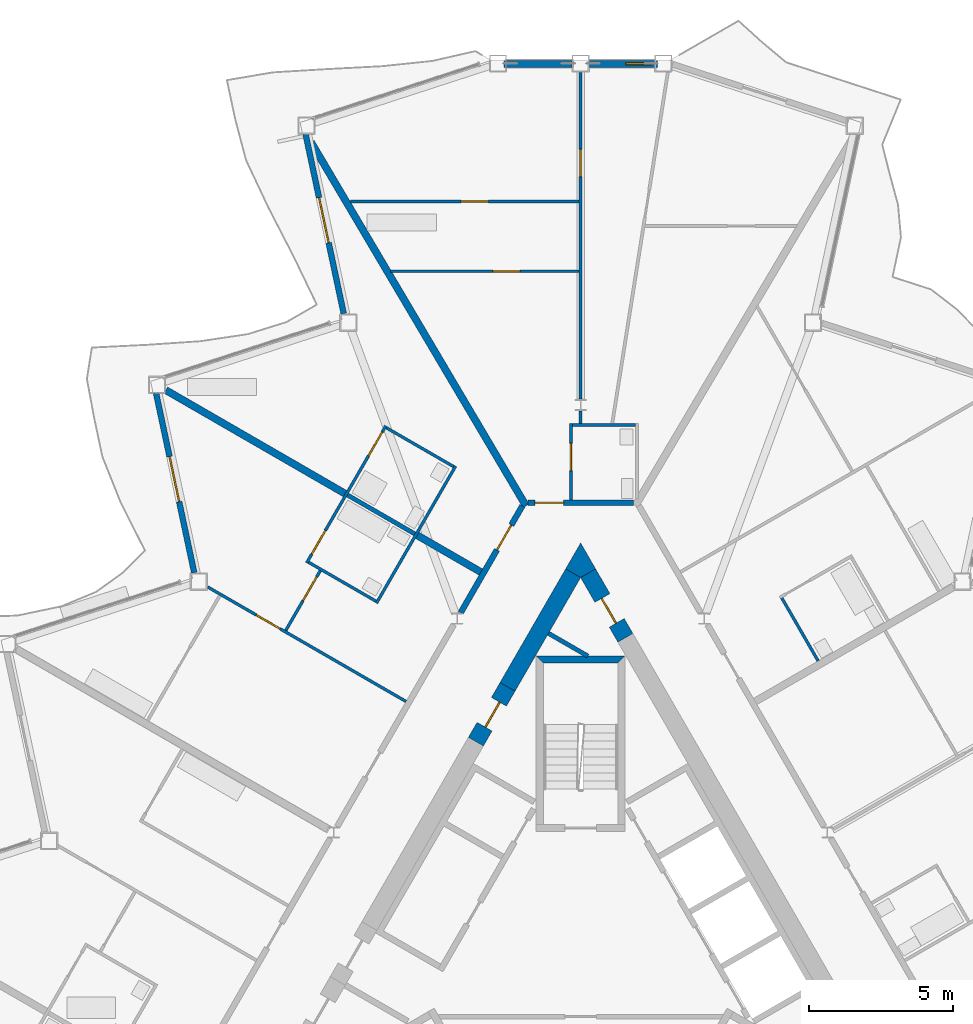
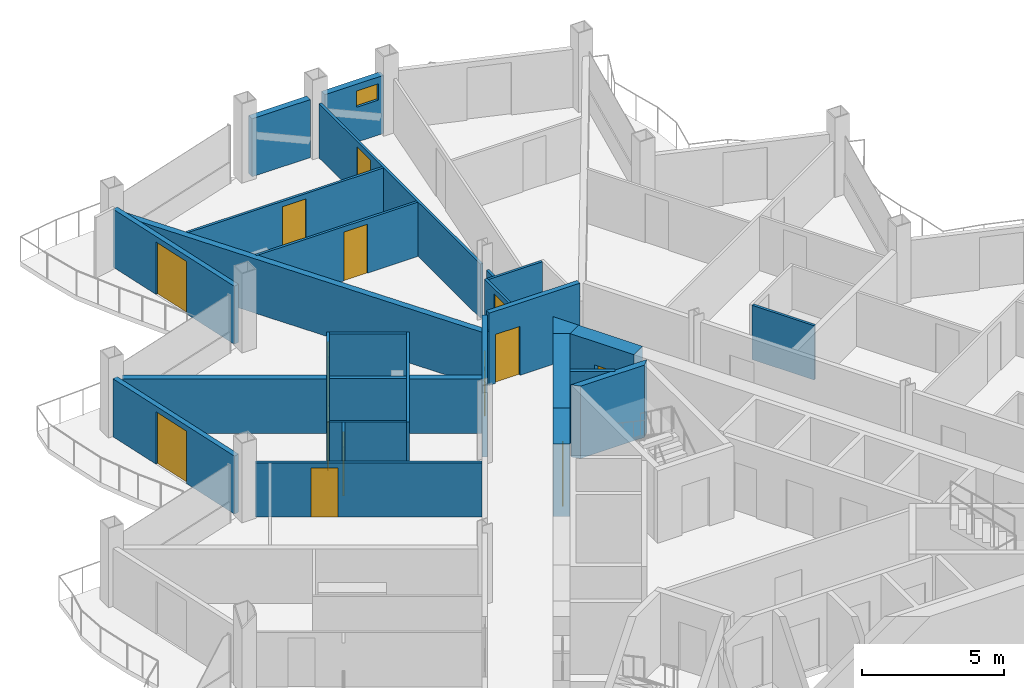
# One storey, part 18 of 27: 29 walls, 14 doors, 1 window, 15 openings.
"""IFC4 building model written with IfcOpenShell, lengths in metres."""

from ifc_helpers import new_model, si_unit, direction, frame, frame_2d, origin, place, context, subcontext, project, spatial, polyline, rectangle, outline, extrude, material, layer, layer_set, type_object, element, fill, save


model = new_model("IFC4")

# Units and contexts
model_context = context("Model", 3, precision=1e-05, world=origin(), true_north=direction((0.0, 1.0)))
body_context = subcontext(model_context, "Body", "Model", "MODEL_VIEW")
ifc_project = project(units=[si_unit("LENGTHUNIT", "METRE"), si_unit("AREAUNIT", "SQUARE_METRE"), si_unit("VOLUMEUNIT", "CUBIC_METRE"), si_unit("PLANEANGLEUNIT", "RADIAN"), si_unit("MASSUNIT", "GRAM", prefix="KILO")], contexts=[model_context])

# Site, building, storey
site_placement = place(None, origin())
site = spatial("IfcSite", under=ifc_project, at=site_placement, CompositionType="ELEMENT")
building_placement = place(site_placement, origin())
building = spatial("IfcBuilding", under=site, at=building_placement, Name="Cormorant Prow Tower", CompositionType="ELEMENT")
storey_placement = place(building_placement, frame((0.0, 0.0, 335.800048828125)))
storey = spatial("IfcBuildingStorey", under=building, at=storey_placement, Name="L75", CompositionType="ELEMENT", Elevation=335.800048828125)

# Walls
ifc_material_1 = material(Name="Gypsum board partition")
ifc_layer_1 = layer(ifc_material_1, 0.14990234375)
ifc_layer_set_1 = layer_set([ifc_layer_1], Name="Gypsum board partition")
wall_type_1 = type_object("IfcWallType", Name="Core partition 150", PredefinedType="PARTITIONING", material=ifc_layer_set_1)
wall_1_placement = place(storey_placement, frame((-1.119140625, 11.872802734375, 0.0), z_axis=(0.0, 0.0, 1.0), x_axis=(0.865992812752, -0.500056445075, 0.0)))
element("IfcWall", 1, at=wall_1_placement, inside=storey, type_object=wall_type_1, Name="Service room partition", PredefinedType="PARTITIONING", context=body_context, shape_type="SweptSolid", body=[
    extrude(rectangle(XDim=1.581787109375, YDim=0.14990234375, at=frame_2d((0.791015625, 0.0))), origin(), (0.0, 0.0, 1.0), 3.099853515625),
])
ifc_material_2 = material(Name="Concrete 8000 psi", Category="concrete")
ifc_layer_2 = layer(ifc_material_2, 0.60009765625)
ifc_layer_set_2 = layer_set([ifc_layer_2], Name="Concrete 8000 psi")
wall_type_2 = type_object("IfcWallType", Name="Core shear wall 600", PredefinedType="SHEAR", material=ifc_layer_set_2)
wall_2_placement = place(storey_placement, frame((-0.259765625, 13.961181640625, 0.0), z_axis=(0.0, 0.0, 1.0), x_axis=(-0.499980485389, -0.866036670257, 0.0)))
element("IfcWall", 2, at=wall_2_placement, inside=storey, type_object=wall_type_2, Name="Core wall", PredefinedType="SHEAR", context=body_context, shape_type="SweptSolid", body=[
    extrude(rectangle(XDim=4.559326171875, YDim=0.60009765625, at=frame_2d((2.27978515625, 0.0))), origin(), (0.0, 0.0, 1.0), 3.099853515625),
])
wall_3_placement = place(storey_placement, origin())
element("IfcWall", 3, at=wall_3_placement, inside=storey, type_object=wall_type_2, Name="Core wall corner", PredefinedType="SHEAR", context=body_context, shape_type="SweptSolid", body=[
    extrude(outline(polyline([(-0.51953125, 14.111083984375), (0.0, 15.010986328125), (0.51953125, 14.111083984375), (0.0, 13.81103515625), (-0.51953125, 14.111083984375)])), origin(), (0.0, 0.0, 1.0), 3.099853515625),
])

# Wall, opening, door
wall_4_placement = place(storey_placement, frame((-2.539306640625, 10.0126953125, 0.0), z_axis=(0.0, 0.0, 1.0), x_axis=(-0.50002983664, -0.866008176907, 0.0)))
wall_4 = element("IfcWall", 4, at=wall_4_placement, inside=storey, type_object=wall_type_2, Name="Core wall door panel", PredefinedType="SHEAR", context=body_context, shape_type="SweptSolid", body=[
    extrude(rectangle(XDim=2.199951171875, YDim=0.60009765625, at=frame_2d((1.10009765625, 0.0))), origin(), (0.0, 0.0, 1.0), 3.099853515625),
])
opening_1_placement = place(wall_4_placement, frame((0.60009765625, 0.0, 0.0)))
opening_1 = element("IfcOpeningElement", 5, at=opening_1_placement, cuts=wall_4, Name="Opening L75-C19", PredefinedType="OPENING", context=body_context, shape_type="SweptSolid", body=[
    extrude(rectangle(XDim=1.0, YDim=2.10009765625, at=frame_2d((0.5, 1.050048828125))), frame((0.0, 0.31005859375, 0.0), z_axis=(0.0, -1.0, 0.0), x_axis=(1.0, 0.0, 0.0)), (0.0, 0.0, 1.0), 0.6201171875),
])
ifc_material_3 = material(Name="Painted steel", Category="steel")
door_type_1 = type_object("IfcDoorType", Name="Service door 1000x2100", OperationType="NOTDEFINED", PredefinedType="DOOR", material=ifc_material_3)
door_1_placement = place(opening_1_placement, origin())
door_1 = element("IfcDoor", 6, at=door_1_placement, inside=storey, type_object=door_type_1, Name="Core door, Telecom room", OperationType="SINGLE_SWING_LEFT", OverallHeight=2.10009765625, OverallWidth=1.0, PredefinedType="DOOR", context=body_context, shape_type="SweptSolid", body=[
    extrude(rectangle(XDim=1.0, YDim=2.10009765625, at=frame_2d((0.5, 1.050048828125))), frame((0.0, 0.05517578125, 0.0), z_axis=(0.0, -1.0, 0.0), x_axis=(1.0, 0.0, 0.0)), (0.0, 0.0, 1.0), 0.050048828125),
])
fill(opening_1, door_1)

wall_5_placement = place(storey_placement, frame((1.555908203125, 11.71630859375, 0.0), z_axis=(0.0, 0.0, 1.0), x_axis=(-0.500018667571, 0.866014625789, 0.0)))
wall_5 = element("IfcWall", 7, at=wall_5_placement, inside=storey, type_object=wall_type_2, Name="Core wall door panel", PredefinedType="SHEAR", context=body_context, shape_type="SweptSolid", body=[
    extrude(rectangle(XDim=2.59228515625, YDim=0.60009765625, at=frame_2d((1.296142578125, 0.0))), origin(), (0.0, 0.0, 1.0), 3.099853515625),
])
opening_2_placement = place(wall_5_placement, frame((0.60009765625, 0.0, 0.0)))
opening_2 = element("IfcOpeningElement", 8, at=opening_2_placement, cuts=wall_5, Name="Opening L75-C20", PredefinedType="OPENING", context=body_context, shape_type="SweptSolid", body=[
    extrude(rectangle(XDim=1.0, YDim=2.10009765625, at=frame_2d((0.5, 1.050048828125))), frame((0.0, 0.31005859375, 0.0), z_axis=(0.0, -1.0, 0.0), x_axis=(1.0, 0.0, 0.0)), (0.0, 0.0, 1.0), 0.6201171875),
])
door_2_placement = place(opening_2_placement, origin())
door_2 = element("IfcDoor", 9, at=door_2_placement, inside=storey, type_object=door_type_1, Name="Core door, Pantry store", OperationType="SINGLE_SWING_RIGHT", OverallHeight=2.10009765625, OverallWidth=1.0, PredefinedType="DOOR", context=body_context, shape_type="SweptSolid", body=[
    extrude(rectangle(XDim=1.0, YDim=2.10009765625, at=frame_2d((0.5, 1.050048828125))), frame((0.0, 0.05517578125, 0.0), z_axis=(0.0, -1.0, 0.0), x_axis=(1.0, 0.0, 0.0)), (0.0, 0.0, 1.0), 0.050048828125),
])
fill(opening_2, door_2)

ifc_material_4 = material(Name="Gypsum board corridor wall")
ifc_layer_3 = layer(ifc_material_4, 0.199951171875)
ifc_layer_set_3 = layer_set([ifc_layer_3], Name="Gypsum board corridor wall")
wall_type_3 = type_object("IfcWallType", Name="Corridor wall 200", PredefinedType="PARTITIONING", material=ifc_layer_set_3)
wall_6_placement = place(storey_placement, frame((-4.169189453125, 12.589599609375, 0.0), z_axis=(0.0, 0.0, 1.0), x_axis=(0.499978750566, 0.866037671803, 0.0)))
wall_6 = element("IfcWall", 10, at=wall_6_placement, inside=storey, type_object=wall_type_3, Name="Corridor wall", PredefinedType="PARTITIONING", context=body_context, shape_type="SweptSolid", body=[
    extrude(rectangle(XDim=4.287841796875, YDim=0.199951171875, at=frame_2d((2.14404296875, 0.0))), origin(), (0.0, 0.0, 1.0), 3.099853515625),
])
opening_3_placement = place(wall_6_placement, frame((2.521484375, 0.0, 0.0)))
opening_3 = element("IfcOpeningElement", 11, at=opening_3_placement, cuts=wall_6, Name="Opening L75-F44", PredefinedType="OPENING", context=body_context, shape_type="SweptSolid", body=[
    extrude(rectangle(XDim=1.0, YDim=2.10009765625, at=frame_2d((0.5, 1.050048828125))), frame((0.0, 0.10986328125, 0.0), z_axis=(0.0, -1.0, 0.0), x_axis=(1.0, 0.0, 0.0)), (0.0, 0.0, 1.0), 0.219970703125),
])
ifc_material_5 = material(Name="Timber door leaf", Category="wood")
door_type_2 = type_object("IfcDoorType", Name="Flat or room entrance door 1000x2100", OperationType="NOTDEFINED", PredefinedType="DOOR", material=ifc_material_5)
door_3_placement = place(opening_3_placement, origin())
door_3 = element("IfcDoor", 12, at=door_3_placement, inside=storey, type_object=door_type_2, Name="Studio living, kitchen and sleeping room door", OperationType="SINGLE_SWING_RIGHT", OverallHeight=2.10009765625, OverallWidth=1.0, PredefinedType="DOOR", context=body_context, shape_type="SweptSolid", body=[
    extrude(rectangle(XDim=1.0, YDim=2.10009765625, at=frame_2d((0.5, 1.050048828125))), frame((0.0, 0.02490234375, 0.0), z_axis=(0.0, -1.0, 0.0), x_axis=(1.0, 0.0, 0.0)), (0.0, 0.0, 1.0), 0.050048828125),
])
fill(opening_3, door_3)

wall_7_placement = place(storey_placement, frame((-1.837890625, 16.4111328125, 0.0), z_axis=(0.0, 0.0, 1.0), x_axis=(1.0, 0.0, 0.0)))
wall_7 = element("IfcWall", 13, at=wall_7_placement, inside=storey, type_object=wall_type_3, Name="Corridor wall", PredefinedType="PARTITIONING", context=body_context, shape_type="SweptSolid", body=[
    extrude(rectangle(XDim=3.67578125, YDim=0.199951171875, at=frame_2d((1.837890625, 0.0))), origin(), (0.0, 0.0, 1.0), 3.099853515625),
])
opening_4_placement = place(wall_7_placement, frame((0.25, 0.0, 0.0)))
opening_4 = element("IfcOpeningElement", 14, at=opening_4_placement, cuts=wall_7, Name="Opening L75-F37", PredefinedType="OPENING", context=body_context, shape_type="SweptSolid", body=[
    extrude(rectangle(XDim=1.0, YDim=2.10009765625, at=frame_2d((0.5, 1.050048828125))), frame((0.0, 0.10986328125, 0.0), z_axis=(0.0, -1.0, 0.0), x_axis=(1.0, 0.0, 0.0)), (0.0, 0.0, 1.0), 0.219970703125),
])
door_4_placement = place(opening_4_placement, origin())
door_4 = element("IfcDoor", 15, at=door_4_placement, inside=storey, type_object=door_type_2, Name="Living room door", OperationType="SINGLE_SWING_RIGHT", OverallHeight=2.10009765625, OverallWidth=1.0, PredefinedType="DOOR", context=body_context, shape_type="SweptSolid", body=[
    extrude(rectangle(XDim=1.0, YDim=2.10009765625, at=frame_2d((0.5, 1.050048828125))), frame((0.0, 0.02490234375, 0.0), z_axis=(0.0, -1.0, 0.0), x_axis=(1.0, 0.0, 0.0)), (0.0, 0.0, 1.0), 0.050048828125),
])
fill(opening_4, door_4)

ifc_material_6 = material(Name="Gypsum board partition")
ifc_layer_4 = layer(ifc_material_6, 0.10009765625)
ifc_layer_set_4 = layer_set([ifc_layer_4], Name="Gypsum board partition")
wall_type_4 = type_object("IfcWallType", Name="Internal partition 100", PredefinedType="PARTITIONING", material=ifc_layer_set_4)
wall_8_placement = place(storey_placement, frame((0.0, 20.018798828125, 0.0), z_axis=(0.0, 0.0, 1.0), x_axis=(0.0, 1.0, 0.0)))
wall_8 = element("IfcWall", 16, at=wall_8_placement, inside=storey, type_object=wall_type_4, Name="Internal partition", PredefinedType="PARTITIONING", context=body_context, shape_type="SweptSolid", body=[
    extrude(rectangle(XDim=11.347412109375, YDim=0.10009765625, at=frame_2d((5.673828125, 0.0))), origin(), (0.0, 0.0, 1.0), 2.330078125),
])
opening_5_placement = place(wall_8_placement, frame((7.723388671875, 0.0, 0.0)))
opening_5 = element("IfcOpeningElement", 17, at=opening_5_placement, cuts=wall_8, Name="Opening L75-F41", PredefinedType="OPENING", context=body_context, shape_type="SweptSolid", body=[
    extrude(rectangle(XDim=0.949951171875, YDim=2.10009765625, at=frame_2d((0.47509765625, 1.050048828125))), frame((0.0, 0.06005859375, 0.0), z_axis=(0.0, -1.0, 0.0), x_axis=(1.0, 0.0, 0.0)), (0.0, 0.0, 1.0), 0.1201171875),
])
ifc_material_7 = material(Name="Timber door leaf", Category="wood")
door_type_3 = type_object("IfcDoorType", Name="Bathroom door 950x2100", OperationType="NOTDEFINED", PredefinedType="DOOR", material=ifc_material_7)
door_5_placement = place(opening_5_placement, origin())
door_5 = element("IfcDoor", 18, at=door_5_placement, inside=storey, type_object=door_type_3, Name="Dining room door", OperationType="SINGLE_SWING_LEFT", OverallHeight=2.10009765625, OverallWidth=0.949951171875, PredefinedType="DOOR", context=body_context, shape_type="SweptSolid", body=[
    extrude(rectangle(XDim=0.949951171875, YDim=2.10009765625, at=frame_2d((0.47509765625, 1.050048828125))), frame((0.0, 0.02490234375, 0.0), z_axis=(0.0, -1.0, 0.0), x_axis=(1.0, 0.0, 0.0)), (0.0, 0.0, 1.0), 0.050048828125),
])
fill(opening_5, door_5)

wall_9_placement = place(storey_placement, frame((-12.9619140625, 13.483642578125, 0.0), z_axis=(0.0, 0.0, 1.0), x_axis=(0.866032392051, -0.499987895772, 0.0)))
wall_9 = element("IfcWall", 19, at=wall_9_placement, inside=storey, type_object=wall_type_4, Name="Internal partition", PredefinedType="PARTITIONING", context=body_context, shape_type="SweptSolid", body=[
    extrude(rectangle(XDim=7.961669921875, YDim=0.10009765625, at=frame_2d((3.98095703125, 0.0))), origin(), (0.0, 0.0, 1.0), 2.330078125),
])
opening_6_placement = place(wall_9_placement, frame((1.953125, 0.0, 0.0)))
opening_6 = element("IfcOpeningElement", 20, at=opening_6_placement, cuts=wall_9, Name="Opening L75-F48", PredefinedType="OPENING", context=body_context, shape_type="SweptSolid", body=[
    extrude(rectangle(XDim=0.949951171875, YDim=2.10009765625, at=frame_2d((0.47509765625, 1.050048828125))), frame((0.0, 0.06005859375, 0.0), z_axis=(0.0, -1.0, 0.0), x_axis=(1.0, 0.0, 0.0)), (0.0, 0.0, 1.0), 0.1201171875),
])
door_6_placement = place(opening_6_placement, origin())
door_6 = element("IfcDoor", 21, at=door_6_placement, inside=storey, type_object=door_type_3, Name="Living room door", OperationType="SINGLE_SWING_RIGHT", OverallHeight=2.10009765625, OverallWidth=0.949951171875, PredefinedType="DOOR", context=body_context, shape_type="SweptSolid", body=[
    extrude(rectangle(XDim=0.949951171875, YDim=2.10009765625, at=frame_2d((0.47509765625, 1.050048828125))), frame((0.0, 0.02490234375, 0.0), z_axis=(0.0, -1.0, 0.0), x_axis=(1.0, 0.0, 0.0)), (0.0, 0.0, 1.0), 0.050048828125),
])
fill(opening_6, door_6)

wall_10_placement = place(storey_placement, frame((-8.00537109375, 26.876708984375, 0.0), z_axis=(0.0, 0.0, 1.0), x_axis=(1.0, 0.0, 0.0)))
wall_10 = element("IfcWall", 22, at=wall_10_placement, inside=storey, type_object=wall_type_4, Name="Internal partition", PredefinedType="PARTITIONING", context=body_context, shape_type="SweptSolid", body=[
    extrude(rectangle(XDim=7.955322265625, YDim=0.10009765625, at=frame_2d((3.9775390625, 0.0))), origin(), (0.0, 0.0, 1.0), 2.330078125),
])
opening_7_placement = place(wall_10_placement, frame((3.85302734375, 0.0, 0.0)))
opening_7 = element("IfcOpeningElement", 23, at=opening_7_placement, cuts=wall_10, Name="Opening L75-F40", PredefinedType="OPENING", context=body_context, shape_type="SweptSolid", body=[
    extrude(rectangle(XDim=0.949951171875, YDim=2.10009765625, at=frame_2d((0.47509765625, 1.050048828125))), frame((0.0, 0.06005859375, 0.0), z_axis=(0.0, -1.0, 0.0), x_axis=(1.0, 0.0, 0.0)), (0.0, 0.0, 1.0), 0.1201171875),
])
door_7_placement = place(opening_7_placement, origin())
door_7 = element("IfcDoor", 24, at=door_7_placement, inside=storey, type_object=door_type_3, Name="Kitchen door", OperationType="SINGLE_SWING_LEFT", OverallHeight=2.10009765625, OverallWidth=0.949951171875, PredefinedType="DOOR", context=body_context, shape_type="SweptSolid", body=[
    extrude(rectangle(XDim=0.949951171875, YDim=2.10009765625, at=frame_2d((0.47509765625, 1.050048828125))), frame((0.0, 0.02490234375, 0.0), z_axis=(0.0, -1.0, 0.0), x_axis=(1.0, 0.0, 0.0)), (0.0, 0.0, 1.0), 0.050048828125),
])
fill(opening_7, door_7)

wall_11_placement = place(storey_placement, frame((-6.607177734375, 24.455078125, 0.0), z_axis=(0.0, 0.0, 1.0), x_axis=(1.0, 0.0, 0.0)))
wall_11 = element("IfcWall", 25, at=wall_11_placement, inside=storey, type_object=wall_type_4, Name="Internal partition", PredefinedType="PARTITIONING", context=body_context, shape_type="SweptSolid", body=[
    extrude(rectangle(XDim=6.55712890625, YDim=0.10009765625, at=frame_2d((3.278564453125, 0.0))), origin(), (0.0, 0.0, 1.0), 2.330078125),
])
opening_8_placement = place(wall_11_placement, frame((3.5546875, 0.0, 0.0)))
opening_8 = element("IfcOpeningElement", 26, at=opening_8_placement, cuts=wall_11, Name="Opening L75-F39", PredefinedType="OPENING", context=body_context, shape_type="SweptSolid", body=[
    extrude(rectangle(XDim=0.949951171875, YDim=2.10009765625, at=frame_2d((0.47509765625, 1.050048828125))), frame((0.0, 0.06005859375, 0.0), z_axis=(0.0, -1.0, 0.0), x_axis=(1.0, 0.0, 0.0)), (0.0, 0.0, 1.0), 0.1201171875),
])
door_8_placement = place(opening_8_placement, origin())
door_8 = element("IfcDoor", 27, at=door_8_placement, inside=storey, type_object=door_type_3, Name="Living room door", OperationType="SINGLE_SWING_RIGHT", OverallHeight=2.10009765625, OverallWidth=0.949951171875, PredefinedType="DOOR", context=body_context, shape_type="SweptSolid", body=[
    extrude(rectangle(XDim=0.949951171875, YDim=2.10009765625, at=frame_2d((0.47509765625, 1.050048828125))), frame((0.0, 0.02490234375, 0.0), z_axis=(0.0, -1.0, 0.0), x_axis=(1.0, 0.0, 0.0)), (0.0, 0.0, 1.0), 0.050048828125),
])
fill(opening_8, door_8)

# Wall
wall_12_placement = place(storey_placement, frame((-7.095458984375, 12.92138671875, 0.0), z_axis=(0.0, 0.0, 1.0), x_axis=(0.499996545922, 0.866027397988, 0.0)))
element("IfcWall", 28, at=wall_12_placement, inside=storey, type_object=wall_type_4, Name="Internal partition", PredefinedType="PARTITIONING", context=body_context, shape_type="SweptSolid", body=[
    extrude(rectangle(XDim=5.5, YDim=0.10009765625, at=frame_2d((2.75, 0.0))), origin(), (0.0, 0.0, 1.0), 2.330078125),
])

# Wall, openings, doors
wall_13_placement = place(storey_placement, frame((-9.520263671875, 14.3212890625, 0.0), z_axis=(0.0, 0.0, 1.0), x_axis=(0.49997732567, 0.866038494419, 0.0)))
wall_13 = element("IfcWall", 29, at=wall_13_placement, inside=storey, type_object=wall_type_4, Name="Internal partition", PredefinedType="PARTITIONING", context=body_context, shape_type="SweptSolid", body=[
    extrude(rectangle(XDim=5.500244140625, YDim=0.10009765625, at=frame_2d((2.75, 0.0))), origin(), (0.0, 0.0, 1.0), 2.330078125),
])
opening_9_placement = place(wall_13_placement, frame((4.300048828125, 0.0, 0.0)))
opening_9 = element("IfcOpeningElement", 30, at=opening_9_placement, cuts=wall_13, Name="Opening L75-F45", PredefinedType="OPENING", context=body_context, shape_type="SweptSolid", body=[
    extrude(rectangle(XDim=0.949951171875, YDim=2.10009765625, at=frame_2d((0.47509765625, 1.050048828125))), frame((0.0, 0.06005859375, 0.0), z_axis=(0.0, -1.0, 0.0), x_axis=(1.0, 0.0, 0.0)), (0.0, 0.0, 1.0), 0.1201171875),
])
opening_10_placement = place(wall_13_placement, frame((0.351318359375, 0.0, 0.0)))
opening_10 = element("IfcOpeningElement", 31, at=opening_10_placement, cuts=wall_13, Name="Opening L75-F50", PredefinedType="OPENING", context=body_context, shape_type="SweptSolid", body=[
    extrude(rectangle(XDim=0.949951171875, YDim=2.10009765625, at=frame_2d((0.47509765625, 1.050048828125))), frame((0.0, 0.06005859375, 0.0), z_axis=(0.0, -1.0, 0.0), x_axis=(1.0, 0.0, 0.0)), (0.0, 0.0, 1.0), 0.1201171875),
])
door_9_placement = place(opening_9_placement, origin())
door_9 = element("IfcDoor", 32, at=door_9_placement, inside=storey, type_object=door_type_3, Name="Studio living, kitchen and sleeping room door", OperationType="SINGLE_SWING_RIGHT", OverallHeight=2.10009765625, OverallWidth=0.949951171875, PredefinedType="DOOR", context=body_context, shape_type="SweptSolid", body=[
    extrude(rectangle(XDim=0.949951171875, YDim=2.10009765625, at=frame_2d((0.47509765625, 1.050048828125))), frame((0.0, 0.02490234375, 0.0), z_axis=(0.0, -1.0, 0.0), x_axis=(1.0, 0.0, 0.0)), (0.0, 0.0, 1.0), 0.050048828125),
])
fill(opening_9, door_9)
door_10_placement = place(opening_10_placement, origin())
door_10 = element("IfcDoor", 33, at=door_10_placement, inside=storey, type_object=door_type_3, Name="Bedroom door", OperationType="SINGLE_SWING_LEFT", OverallHeight=2.10009765625, OverallWidth=0.949951171875, PredefinedType="DOOR", context=body_context, shape_type="SweptSolid", body=[
    extrude(rectangle(XDim=0.949951171875, YDim=2.10009765625, at=frame_2d((0.47509765625, 1.050048828125))), frame((0.0, 0.02490234375, 0.0), z_axis=(0.0, -1.0, 0.0), x_axis=(1.0, 0.0, 0.0)), (0.0, 0.0, 1.0), 0.050048828125),
])
fill(opening_10, door_10)

# Walls
wall_14_placement = place(storey_placement, frame((-9.451904296875, 14.339599609375, 0.0), z_axis=(0.0, 0.0, 1.0), x_axis=(0.866036505625, -0.499980770555, 0.0)))
element("IfcWall", 34, at=wall_14_placement, inside=storey, type_object=wall_type_4, Name="Internal partition", PredefinedType="PARTITIONING", context=body_context, shape_type="SweptSolid", body=[
    extrude(rectangle(XDim=2.69970703125, YDim=0.10009765625, at=frame_2d((1.349853515625, 0.0))), origin(), (0.0, 0.0, 1.0), 2.330078125),
])
wall_15_placement = place(storey_placement, frame((-6.751953125, 19.016357421875, 0.0), z_axis=(0.0, 0.0, 1.0), x_axis=(0.86599734893, -0.500048589285, 0.0)))
element("IfcWall", 35, at=wall_15_placement, inside=storey, type_object=wall_type_4, Name="Internal partition", PredefinedType="PARTITIONING", context=body_context, shape_type="SweptSolid", body=[
    extrude(rectangle(XDim=2.699951171875, YDim=0.10009765625, at=frame_2d((1.35009765625, 0.0))), origin(), (0.0, 0.0, 1.0), 2.330078125),
])

# Wall, opening, door
wall_16_placement = place(storey_placement, frame((-0.3369140625, 16.510986328125, 0.0), z_axis=(0.0, 0.0, 1.0), x_axis=(0.0, 1.0, 0.0)))
wall_16 = element("IfcWall", 36, at=wall_16_placement, inside=storey, type_object=wall_type_4, Name="Internal partition", PredefinedType="PARTITIONING", context=body_context, shape_type="SweptSolid", body=[
    extrude(rectangle(XDim=2.650146484375, YDim=0.10009765625, at=frame_2d((1.3251953125, 0.0))), origin(), (0.0, 0.0, 1.0), 2.330078125),
])
opening_11_placement = place(wall_16_placement, frame((1.013671875, 0.0, 0.0)))
opening_11 = element("IfcOpeningElement", 37, at=opening_11_placement, cuts=wall_16, Name="Opening L75-F38", PredefinedType="OPENING", context=body_context, shape_type="SweptSolid", body=[
    extrude(rectangle(XDim=0.949951171875, YDim=2.10009765625, at=frame_2d((0.47509765625, 1.050048828125))), frame((0.0, 0.06005859375, 0.0), z_axis=(0.0, -1.0, 0.0), x_axis=(1.0, 0.0, 0.0)), (0.0, 0.0, 1.0), 0.1201171875),
])
door_11_placement = place(opening_11_placement, origin())
door_11 = element("IfcDoor", 38, at=door_11_placement, inside=storey, type_object=door_type_3, Name="Living room door", OperationType="SINGLE_SWING_RIGHT", OverallHeight=2.10009765625, OverallWidth=0.949951171875, PredefinedType="DOOR", context=body_context, shape_type="SweptSolid", body=[
    extrude(rectangle(XDim=0.949951171875, YDim=2.10009765625, at=frame_2d((0.47509765625, 1.050048828125))), frame((0.0, 0.02490234375, 0.0), z_axis=(0.0, -1.0, 0.0), x_axis=(1.0, 0.0, 0.0)), (0.0, 0.0, 1.0), 0.050048828125),
])
fill(opening_11, door_11)

# Wall
wall_17_placement = place(storey_placement, frame((6.99365234375, 13.097900390625, 0.0), z_axis=(0.0, 0.0, 1.0), x_axis=(0.499976333282, -0.866039067339, 0.0)))
element("IfcWall", 39, at=wall_17_placement, inside=storey, type_object=wall_type_4, Name="Internal partition", PredefinedType="PARTITIONING", context=body_context, shape_type="SweptSolid", body=[
    extrude(rectangle(XDim=2.52490234375, YDim=0.10009765625, at=frame_2d((1.262451171875, 0.0))), origin(), (0.0, 0.0, 1.0), 2.330078125),
])

# Wall, opening, door
wall_18_placement = place(storey_placement, frame((-10.24658203125, 11.9736328125, 0.0), z_axis=(0.0, 0.0, 1.0), x_axis=(0.499995825336, 0.866027814014, 0.0)))
wall_18 = element("IfcWall", 40, at=wall_18_placement, inside=storey, type_object=wall_type_4, Name="Internal partition", PredefinedType="PARTITIONING", context=body_context, shape_type="SweptSolid", body=[
    extrude(rectangle(XDim=2.396484375, YDim=0.10009765625, at=frame_2d((1.1982421875, 0.0))), origin(), (0.0, 0.0, 1.0), 2.330078125),
])
opening_12_placement = place(wall_18_placement, frame((1.1962890625, 0.0, 0.0)))
opening_12 = element("IfcOpeningElement", 41, at=opening_12_placement, cuts=wall_18, Name="Opening L75-F49", PredefinedType="OPENING", context=body_context, shape_type="SweptSolid", body=[
    extrude(rectangle(XDim=0.949951171875, YDim=2.10009765625, at=frame_2d((0.47509765625, 1.050048828125))), frame((0.0, 0.06005859375, 0.0), z_axis=(0.0, -1.0, 0.0), x_axis=(1.0, 0.0, 0.0)), (0.0, 0.0, 1.0), 0.1201171875),
])
door_12_placement = place(opening_12_placement, origin())
door_12 = element("IfcDoor", 42, at=door_12_placement, inside=storey, type_object=door_type_3, Name="Bedroom door", OperationType="SINGLE_SWING_RIGHT", OverallHeight=2.10009765625, OverallWidth=0.949951171875, PredefinedType="DOOR", context=body_context, shape_type="SweptSolid", body=[
    extrude(rectangle(XDim=0.949951171875, YDim=2.10009765625, at=frame_2d((0.47509765625, 1.050048828125))), frame((0.0, 0.02490234375, 0.0), z_axis=(0.0, -1.0, 0.0), x_axis=(1.0, 0.0, 0.0)), (0.0, 0.0, 1.0), 0.050048828125),
])
fill(opening_12, door_12)

# Walls
wall_19_placement = place(storey_placement, frame((-0.287109375, 19.111083984375, 0.0), z_axis=(0.0, 0.0, 1.0), x_axis=(1.0, 0.0, 0.0)))
element("IfcWall", 43, at=wall_19_placement, inside=storey, type_object=wall_type_4, Name="Internal partition", PredefinedType="PARTITIONING", context=body_context, shape_type="SweptSolid", body=[
    extrude(rectangle(XDim=2.2001953125, YDim=0.10009765625, at=frame_2d((1.10009765625, 0.0))), origin(), (0.0, 0.0, 1.0), 2.330078125),
])
wall_20_placement = place(storey_placement, frame((0.0, 19.1611328125, 0.0), z_axis=(0.0, 0.0, 1.0), x_axis=(0.0, 1.0, 0.0)))
element("IfcWall", 44, at=wall_20_placement, inside=storey, type_object=wall_type_4, Name="Internal partition", PredefinedType="PARTITIONING", context=body_context, shape_type="SweptSolid", body=[
    extrude(rectangle(XDim=0.4423828125, YDim=0.10009765625, at=frame_2d((0.22119140625, 0.0))), origin(), (0.0, 0.0, 1.0), 2.330078125),
])
ifc_material_8 = material(Name="Concrete 8000 psi", Category="concrete")
ifc_layer_5 = layer(ifc_material_8, 0.25)
ifc_layer_set_5 = layer_set([ifc_layer_5], Name="Concrete 8000 psi")
wall_type_5 = type_object("IfcWallType", Name="Stair wall 250", PredefinedType="SHEAR", material=ifc_layer_set_5)
wall_21_placement = place(storey_placement, origin())
element("IfcWall", 45, at=wall_21_placement, inside=storey, type_object=wall_type_5, Name="Stair ST3 enclosure wall (end)", PredefinedType="SHEAR", context=body_context, shape_type="SweptSolid", body=[
    extrude(outline(polyline([(1.5439453125, 11.0869140625), (-1.5439453125, 11.0869140625), (-1.2939453125, 10.8369140625), (1.2939453125, 10.8369140625), (1.5439453125, 11.0869140625)])), origin(), (0.0, 0.0, 1.0), 3.099853515625),
])
ifc_material_9 = material(Name="Acoustic gypsum party wall")
ifc_layer_6 = layer(ifc_material_9, 0.25)
ifc_layer_set_6 = layer_set([ifc_layer_6], Name="Acoustic gypsum party wall")
wall_type_6 = type_object("IfcWallType", Name="Suite party wall 250", PredefinedType="PARTITIONING", material=ifc_layer_set_6)
wall_22_placement = place(storey_placement, frame((-9.3681640625, 28.9375, 0.0), z_axis=(0.0, 0.0, 1.0), x_axis=(0.50889014825, -0.860831468416, 0.0)))
element("IfcWall", 46, at=wall_22_placement, inside=storey, type_object=wall_type_6, Name="Suite party wall", PredefinedType="PARTITIONING", context=body_context, shape_type="SweptSolid", body=[
    extrude(rectangle(XDim=14.676513671875, YDim=0.25, at=frame_2d((7.33837890625, 0.0))), origin(), (0.0, 0.0, 1.0), 2.330078125),
])
wall_23_placement = place(storey_placement, frame((-14.41650390625, 20.32373046875, 0.0), z_axis=(0.0, 0.0, 1.0), x_axis=(0.866019935355, -0.500009471477, 0.0)))
element("IfcWall", 47, at=wall_23_placement, inside=storey, type_object=wall_type_6, Name="Suite party wall", PredefinedType="PARTITIONING", context=body_context, shape_type="SweptSolid", body=[
    extrude(rectangle(XDim=7.191162109375, YDim=0.25, at=frame_2d((3.595703125, 0.0))), origin(), (0.0, 0.0, 1.0), 2.330078125),
])
wall_24_placement = place(storey_placement, frame((-5.67724609375, 15.278076171875, 0.0), z_axis=(0.0, 0.0, 1.0), x_axis=(0.866013403995, -0.500020783669, 0.0)))
element("IfcWall", 48, at=wall_24_placement, inside=storey, type_object=wall_type_6, Name="Suite party wall", PredefinedType="PARTITIONING", context=body_context, shape_type="SweptSolid", body=[
    extrude(rectangle(XDim=2.55029296875, YDim=0.25, at=frame_2d((1.275146484375, 0.0))), origin(), (0.0, 0.0, 1.0), 2.330078125),
])

# Wall, opening, window
ifc_material_10 = material(Name="Terracotta", Category="masonry")
ifc_layer_7 = layer(ifc_material_10, 0.25)
ifc_layer_set_7 = layer_set([ifc_layer_7], Name="Terracotta")
wall_type_7 = type_object("IfcWallType", Name="Terracotta bay wall 250", PredefinedType="SOLIDWALL", material=ifc_layer_set_7)
wall_25_placement = place(storey_placement, frame((2.6640625, 31.664306640625, 0.0), z_axis=(0.0, 0.0, 1.0), x_axis=(-1.0, 0.0, 0.0)))
wall_25 = element("IfcWall", 49, at=wall_25_placement, inside=storey, type_object=wall_type_7, Name="Terracotta bay wall N00", PredefinedType="SOLIDWALL", context=body_context, shape_type="SweptSolid", body=[
    extrude(rectangle(XDim=2.364013671875, YDim=0.25, at=frame_2d((1.18212890625, 0.0))), origin(), (0.0, 0.0, 1.0), 2.48779296875),
])
opening_13_placement = place(wall_25_placement, frame((0.199951171875, 0.0, 1.5)))
opening_13 = element("IfcOpeningElement", 50, at=opening_13_placement, cuts=wall_25, Name="Opening WN8", PredefinedType="OPENING", context=body_context, shape_type="SweptSolid", body=[
    extrude(rectangle(XDim=0.89990234375, YDim=0.699951171875, at=frame_2d((0.449951171875, 0.35009765625))), frame((0.0, 0.135009765625, 0.0), z_axis=(0.0, -1.0, 0.0), x_axis=(1.0, 0.0, 0.0)), (0.0, 0.0, 1.0), 0.27001953125),
])
ifc_material_11 = material(Name="Aluminium 6063-T6", Category="aluminium")
window_type = type_object("IfcWindowType", Name="Corner bay window 900x700", PartitioningType="SINGLE_PANEL", PredefinedType="WINDOW", material=ifc_material_11)
window_placement = place(opening_13_placement, origin())
window = element("IfcWindow", 51, at=window_placement, inside=storey, type_object=window_type, Name="Corner bay window N00", OverallHeight=0.699951171875, OverallWidth=0.89990234375, PartitioningType="SINGLE_PANEL", PredefinedType="WINDOW", context=body_context, shape_type="SweptSolid", body=[
    extrude(rectangle(XDim=0.89990234375, YDim=0.699951171875, at=frame_2d((0.449951171875, 0.35009765625))), frame((0.0, 0.030029296875, 0.0), z_axis=(0.0, -1.0, 0.0), x_axis=(1.0, 0.0, 0.0)), (0.0, 0.0, 1.0), 0.06005859375),
])
fill(opening_13, window)

# Wall
wall_26_placement = place(storey_placement, frame((-0.300048828125, 31.664306640625, 0.0), z_axis=(0.0, 0.0, 1.0), x_axis=(-1.0, 0.0, 0.0)))
element("IfcWall", 52, at=wall_26_placement, inside=storey, type_object=wall_type_7, Name="Terracotta bay wall N01", PredefinedType="SOLIDWALL", context=body_context, shape_type="SweptSolid", body=[
    extrude(rectangle(XDim=2.364013671875, YDim=0.25, at=frame_2d((1.18212890625, 0.0))), origin(), (0.0, 0.0, 1.0), 2.48779296875),
])

# Wall, opening, door
ifc_material_12 = material(Name="Terracotta", Category="masonry")
ifc_layer_8 = layer(ifc_material_12, 0.199951171875)
ifc_layer_set_8 = layer_set([ifc_layer_8], Name="Terracotta")
wall_type_8 = type_object("IfcWallType", Name="Terracotta jamb wall 200", PredefinedType="SOLIDWALL", material=ifc_layer_set_8)
wall_27_placement = place(storey_placement, frame((-9.56005859375, 29.224853515625, 0.0), z_axis=(0.0, 0.0, 1.0), x_axis=(0.207897219879, -0.978150676515, 0.0)))
wall_27 = element("IfcWall", 53, at=wall_27_placement, inside=storey, type_object=wall_type_8, Name="Terracotta jamb wall WNW01", PredefinedType="SOLIDWALL", context=body_context, shape_type="SweptSolid", body=[
    extrude(rectangle(XDim=6.376708984375, YDim=0.199951171875, at=frame_2d((3.1884765625, 0.0))), origin(), (0.0, 0.0, 1.0), 2.48779296875),
])
opening_14_placement = place(wall_27_placement, frame((2.26220703125, 0.0, 0.0)))
opening_14 = element("IfcOpeningElement", 54, at=opening_14_placement, cuts=wall_27, Name="Opening ED75.11", PredefinedType="OPENING", context=body_context, shape_type="SweptSolid", body=[
    extrude(rectangle(XDim=1.60009765625, YDim=2.25, at=frame_2d((0.800048828125, 1.125))), frame((0.0, 0.10986328125, 0.0), z_axis=(0.0, -1.0, 0.0), x_axis=(1.0, 0.0, 0.0)), (0.0, 0.0, 1.0), 0.219970703125),
])
ifc_material_13 = material(Name="Aluminium 6063-T6", Category="aluminium")
door_type_4 = type_object("IfcDoorType", Name="Balcony door 1600x2250", OperationType="DOUBLE_DOOR_SINGLE_SWING", PredefinedType="DOOR", material=ifc_material_13)
door_13_placement = place(opening_14_placement, origin())
door_13 = element("IfcDoor", 55, at=door_13_placement, inside=storey, type_object=door_type_4, Name="Balcony door WNW01 ED75.11", OperationType="DOUBLE_DOOR_SINGLE_SWING", OverallHeight=2.25, OverallWidth=1.60009765625, PredefinedType="DOOR", context=body_context, shape_type="SweptSolid", body=[
    extrude(rectangle(XDim=1.60009765625, YDim=2.25, at=frame_2d((0.800048828125, 1.125))), frame((0.0, 0.02490234375, 0.0), z_axis=(0.0, -1.0, 0.0), x_axis=(1.0, 0.0, 0.0)), (0.0, 0.0, 1.0), 0.050048828125),
])
fill(opening_14, door_13)

wall_28_placement = place(storey_placement, frame((-14.75634765625, 20.224853515625, 0.0), z_axis=(0.0, 0.0, 1.0), x_axis=(0.207888038934, -0.978152627798, 0.0)))
wall_28 = element("IfcWall", 56, at=wall_28_placement, inside=storey, type_object=wall_type_8, Name="Terracotta jamb wall WNW03", PredefinedType="SOLIDWALL", context=body_context, shape_type="SweptSolid", body=[
    extrude(rectangle(XDim=6.381591796875, YDim=0.199951171875, at=frame_2d((3.19091796875, 0.0))), origin(), (0.0, 0.0, 1.0), 2.48779296875),
])
opening_15_placement = place(wall_28_placement, frame((2.26220703125, 0.0, 0.0)))
opening_15 = element("IfcOpeningElement", 57, at=opening_15_placement, cuts=wall_28, Name="Opening ED75.12", PredefinedType="OPENING", context=body_context, shape_type="SweptSolid", body=[
    extrude(rectangle(XDim=1.60009765625, YDim=2.25, at=frame_2d((0.800048828125, 1.125))), frame((0.0, 0.10986328125, 0.0), z_axis=(0.0, -1.0, 0.0), x_axis=(1.0, 0.0, 0.0)), (0.0, 0.0, 1.0), 0.219970703125),
])
door_14_placement = place(opening_15_placement, origin())
door_14 = element("IfcDoor", 58, at=door_14_placement, inside=storey, type_object=door_type_4, Name="Balcony door WNW03 ED75.12", OperationType="DOUBLE_DOOR_SINGLE_SWING", OverallHeight=2.25, OverallWidth=1.60009765625, PredefinedType="DOOR", context=body_context, shape_type="SweptSolid", body=[
    extrude(rectangle(XDim=1.60009765625, YDim=2.25, at=frame_2d((0.800048828125, 1.125))), frame((0.0, 0.02490234375, 0.0), z_axis=(0.0, -1.0, 0.0), x_axis=(1.0, 0.0, 0.0)), (0.0, 0.0, 1.0), 0.050048828125),
])
fill(opening_15, door_14)

# Wall
ifc_material_14 = material(Name="Plasterboard wet wall with pipe chase")
ifc_layer_9 = layer(ifc_material_14, 0.14990234375)
ifc_layer_set_9 = layer_set([ifc_layer_9], Name="Plasterboard wet wall with pipe chase")
wall_type_9 = type_object("IfcWallType", Name="Wet wall 150", PredefinedType="PLUMBINGWALL", material=ifc_layer_set_9)
wall_29_placement = place(storey_placement, frame((-8.10205078125, 16.677978515625, 0.0), z_axis=(0.0, 0.0, 1.0), x_axis=(0.86599734893, -0.500048589285, 0.0)))
element("IfcWall", 59, at=wall_29_placement, inside=storey, type_object=wall_type_9, Name="Wet wall", PredefinedType="PLUMBINGWALL", context=body_context, shape_type="SweptSolid", body=[
    extrude(rectangle(XDim=2.699951171875, YDim=0.14990234375, at=frame_2d((1.35009765625, 0.0))), origin(), (0.0, 0.0, 1.0), 2.330078125),
])

save(model, "model.ifc")
